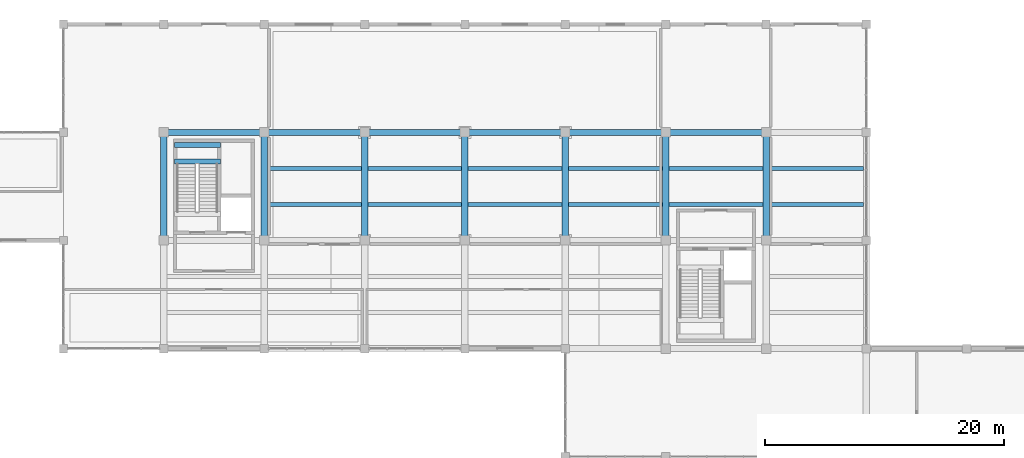
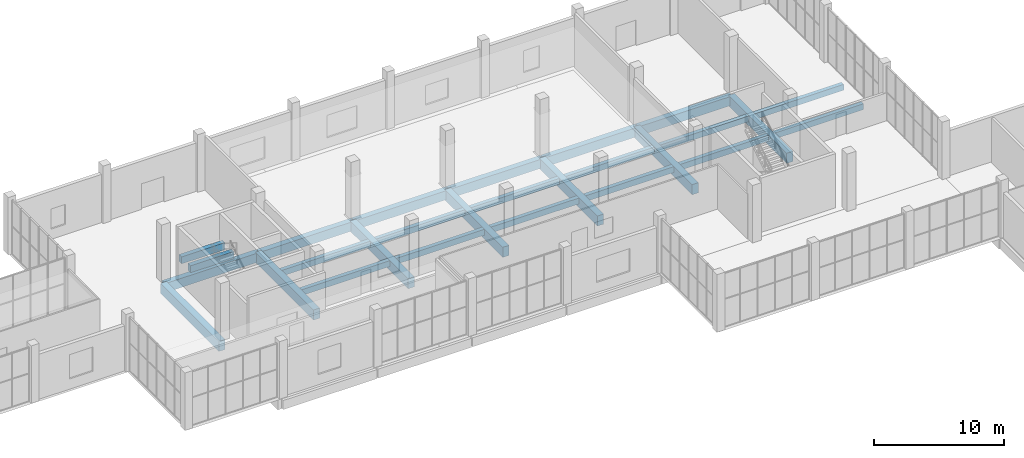
# One storey, part 58 of 91: 27 beams.
"""IFC4 building model written with IfcOpenShell, lengths in metres."""

from ifc_helpers import new_model, si_unit, direction, frame, origin, origin_2d, place, context, subcontext, project, spatial, rectangle, extrude, material, material_profile, profile_set, type_object, element, save


model = new_model("IFC4")

# Units and contexts
model_context = context("Model", 3, precision=1e-05, world=origin(), true_north=direction((0.0, 1.0)))
body_context = subcontext(model_context, "Body", "Model", "MODEL_VIEW")
ifc_project = project(units=[si_unit("LENGTHUNIT", "METRE"), si_unit("AREAUNIT", "SQUARE_METRE"), si_unit("VOLUMEUNIT", "CUBIC_METRE"), si_unit("PLANEANGLEUNIT", "RADIAN"), si_unit("MASSUNIT", "GRAM", prefix="KILO")], contexts=[model_context])

# Site, building, storey
site_placement = place(None, origin())
site = spatial("IfcSite", under=ifc_project, at=site_placement, CompositionType="ELEMENT")
building_placement = place(site_placement, origin())
building = spatial("IfcBuilding", under=site, at=building_placement, Name="Khurvash Pelagic Aquarium", CompositionType="ELEMENT")
storey_placement = place(building_placement, origin())
storey = spatial("IfcBuildingStorey", under=building, at=storey_placement, Name="L00", CompositionType="ELEMENT", Elevation=0.0)

# Beams
ifc_material_1 = material(Name="Concrete C40/50", Category="concrete")
ifc_material_profile_1 = material_profile(ifc_material_1, rectangle(XDim=0.550048828125, YDim=0.949951171875, at=origin_2d()), Name="RC550X950")
ifc_profile_set_1 = profile_set([ifc_material_profile_1], Name="Concrete C40/50")
beam_type_1 = type_object("IfcBeamType", Name="BM-02", PredefinedType="BEAM", material=ifc_profile_set_1)
for number, where, z_axis, x_axis, name in (
    (1, (67.199951171875, 93.139892578125, -0.794921875), (0.0, 1.0, 0.0), (-1.0, 0.0, 0.0), "L00 Primary Girder BM-02 00110"),
    (2, (75.60009765625, 93.139892578125, -0.794921875), (0.0, 1.0, 0.0), (-1.0, 0.0, 0.0), "L00 Primary Girder BM-02 00115"),
    (3, (84.0, 93.139892578125, -0.794921875), (0.0, 1.0, 0.0), (-1.0, 0.0, 0.0), "L00 Primary Girder BM-02 00120"),
    (4, (92.39990234375, 93.139892578125, -0.794921875), (0.0, 1.0, 0.0), (-1.0, 0.0, 0.0), "L00 Primary Girder BM-02 00125"),
    (5, (100.800048828125, 93.139892578125, -0.794921875), (0.0, 1.0, 0.0), (-1.0, 0.0, 0.0), "L00 Primary Girder BM-02 00130"),
    (6, (109.199951171875, 93.139892578125, -0.794921875), (0.0, 1.0, 0.0), (-1.0, 0.0, 0.0), "L00 Primary Girder BM-02 00134"),
    (7, (117.60009765625, 93.139892578125, -0.794921875), (0.0, 1.0, 0.0), (-1.0, 0.0, 0.0), "L00 Primary Girder BM-02 00136"),
):
    element("IfcBeam", number, at=place(storey_placement, frame(where, z_axis=z_axis, x_axis=x_axis)), inside=storey, type_object=beam_type_1, Name=name, PredefinedType="BEAM", context=body_context, shape_type="SweptSolid", body=[
        extrude(rectangle(XDim=0.550048828125, YDim=0.949951171875, at=origin_2d()), origin(), (0.0, 0.0, 1.0), 8.97021484375),
    ])
ifc_material_profile_2 = material_profile(ifc_material_1, rectangle(XDim=0.5, YDim=0.85009765625, at=origin_2d()), Name="RC500X850")
ifc_profile_set_2 = profile_set([ifc_material_profile_2], Name="Concrete C40/50")
beam_type_2 = type_object("IfcBeamType", Name="BM-03", PredefinedType="BEAM", material=ifc_profile_set_2)
for number, where, z_axis, x_axis, name in (
    (8, (67.239990234375, 102.14990234375, -0.7451171875), (1.0, 0.0, 0.0), (0.0, 1.0, 0.0), "L00 Primary Girder BM-03 00070"),
    (9, (75.639892578125, 102.14990234375, -0.7451171875), (1.0, 0.0, 0.0), (0.0, 1.0, 0.0), "L00 Primary Girder BM-03 00071"),
    (10, (84.0400390625, 102.14990234375, -0.7451171875), (1.0, 0.0, 0.0), (0.0, 1.0, 0.0), "L00 Primary Girder BM-03 00072"),
    (11, (92.43994140625, 102.14990234375, -0.7451171875), (1.0, 0.0, 0.0), (0.0, 1.0, 0.0), "L00 Primary Girder BM-03 00073"),
):
    element("IfcBeam", number, at=place(storey_placement, frame(where, z_axis=z_axis, x_axis=x_axis)), inside=storey, type_object=beam_type_2, Name=name, PredefinedType="BEAM", context=body_context, shape_type="SweptSolid", body=[
        extrude(rectangle(XDim=0.5, YDim=0.85009765625, at=origin_2d()), origin(), (0.0, 0.0, 1.0), 8.320068359375),
    ])
beam_1_placement = place(storey_placement, frame((100.840087890625, 102.14990234375, -0.7451171875), z_axis=(1.0, 0.0, 0.0), x_axis=(0.0, 1.0, 0.0)))
element("IfcBeam", 12, at=beam_1_placement, inside=storey, type_object=beam_type_2, Name="L00 Primary Girder BM-03 00074", PredefinedType="BEAM", context=body_context, shape_type="SweptSolid", body=[
    extrude(rectangle(XDim=0.5, YDim=0.85009765625, at=origin_2d()), origin(), (0.0, 0.0, 1.0), 8.31982421875),
])
beam_2_placement = place(storey_placement, frame((109.239990234375, 102.14990234375, -0.7451171875), z_axis=(1.0, 0.0, 0.0), x_axis=(0.0, 1.0, 0.0)))
element("IfcBeam", 13, at=beam_2_placement, inside=storey, type_object=beam_type_2, Name="L00 Primary Girder BM-03 00075", PredefinedType="BEAM", context=body_context, shape_type="SweptSolid", body=[
    extrude(rectangle(XDim=0.5, YDim=0.85009765625, at=origin_2d()), origin(), (0.0, 0.0, 1.0), 8.320068359375),
])
ifc_material_2 = material(Name="Concrete C35/45", Category="concrete")
ifc_material_profile_3 = material_profile(ifc_material_2, rectangle(XDim=0.39990234375, YDim=0.64990234375, at=origin_2d()), Name="RC400X650")
ifc_profile_set_3 = profile_set([ifc_material_profile_3], Name="Concrete C35/45")
beam_type_3 = type_object("IfcBeamType", Name="BM-05", PredefinedType="BEAM", material=ifc_profile_set_3)
for number, where, z_axis, x_axis, name in (
    (14, (68.080078125, 99.7099609375, 2.175048828125), (1.0, 0.0, 0.0), (0.0, 1.0, 0.0), "L00 Stair ST-04 Mid-Landing Trimmer Beam BM-05"),
    (15, (68.080078125, 101.080078125, 2.175048828125), (1.0, 0.0, 0.0), (0.0, 1.0, 0.0), "L00 Stair ST-04 Mid-Landing Trimmer Beam BM-05"),
):
    element("IfcBeam", number, at=place(storey_placement, frame(where, z_axis=z_axis, x_axis=x_axis)), inside=storey, type_object=beam_type_3, Name=name, PredefinedType="BEAM", context=body_context, shape_type="SweptSolid", body=[
        extrude(rectangle(XDim=0.39990234375, YDim=0.64990234375, at=origin_2d()), origin(), (0.0, 0.0, 1.0), 3.83984375),
    ])
ifc_material_profile_4 = material_profile(ifc_material_2, rectangle(XDim=0.35009765625, YDim=0.550048828125, at=origin_2d()), Name="RC350X550")
ifc_profile_set_4 = profile_set([ifc_material_profile_4], Name="Concrete C35/45")
beam_type_4 = type_object("IfcBeamType", Name="JS-01", PredefinedType="JOIST", material=ifc_profile_set_4)
for number, where, z_axis, x_axis, name in (
    (16, (75.875, 96.116943359375, -0.594970703125), (1.0, 0.0, 0.0), (0.0, 1.0, 0.0), "L00 Floor Joist JS-01 00207"),
    (17, (75.875, 99.133056640625, -0.594970703125), (1.0, 0.0, 0.0), (0.0, 1.0, 0.0), "L00 Floor Joist JS-01 00208"),
    (18, (84.27490234375, 96.116943359375, -0.594970703125), (1.0, 0.0, 0.0), (0.0, 1.0, 0.0), "L00 Floor Joist JS-01 00217"),
    (19, (84.27490234375, 99.133056640625, -0.594970703125), (1.0, 0.0, 0.0), (0.0, 1.0, 0.0), "L00 Floor Joist JS-01 00218"),
):
    element("IfcBeam", number, at=place(storey_placement, frame(where, z_axis=z_axis, x_axis=x_axis)), inside=storey, type_object=beam_type_4, Name=name, PredefinedType="JOIST", context=body_context, shape_type="SweptSolid", body=[
        extrude(rectangle(XDim=0.35009765625, YDim=0.550048828125, at=origin_2d()), origin(), (0.0, 0.0, 1.0), 7.85009765625),
    ])
for number, where, z_axis, x_axis, name in (
    (20, (92.675048828125, 96.116943359375, -0.594970703125), (1.0, 0.0, 0.0), (0.0, 1.0, 0.0), "L00 Floor Joist JS-01 00225"),
    (21, (92.675048828125, 99.133056640625, -0.594970703125), (1.0, 0.0, 0.0), (0.0, 1.0, 0.0), "L00 Floor Joist JS-01 00226"),
):
    element("IfcBeam", number, at=place(storey_placement, frame(where, z_axis=z_axis, x_axis=x_axis)), inside=storey, type_object=beam_type_4, Name=name, PredefinedType="JOIST", context=body_context, shape_type="SweptSolid", body=[
        extrude(rectangle(XDim=0.35009765625, YDim=0.550048828125, at=origin_2d()), origin(), (0.0, 0.0, 1.0), 7.849853515625),
    ])
for number, where, z_axis, x_axis, name in (
    (22, (101.074951171875, 96.116943359375, -0.594970703125), (1.0, 0.0, 0.0), (0.0, 1.0, 0.0), "L00 Floor Joist JS-01 00233"),
    (23, (101.074951171875, 99.133056640625, -0.594970703125), (1.0, 0.0, 0.0), (0.0, 1.0, 0.0), "L00 Floor Joist JS-01 00234"),
):
    element("IfcBeam", number, at=place(storey_placement, frame(where, z_axis=z_axis, x_axis=x_axis)), inside=storey, type_object=beam_type_4, Name=name, PredefinedType="JOIST", context=body_context, shape_type="SweptSolid", body=[
        extrude(rectangle(XDim=0.35009765625, YDim=0.550048828125, at=origin_2d()), origin(), (0.0, 0.0, 1.0), 7.85009765625),
    ])
for number, where, z_axis, x_axis, name in (
    (24, (109.47509765625, 96.116943359375, -0.594970703125), (1.0, 0.0, 0.0), (0.0, 1.0, 0.0), "L00 Floor Joist JS-01 00235"),
    (25, (109.47509765625, 99.133056640625, -0.594970703125), (1.0, 0.0, 0.0), (0.0, 1.0, 0.0), "L00 Floor Joist JS-01 00236"),
):
    element("IfcBeam", number, at=place(storey_placement, frame(where, z_axis=z_axis, x_axis=x_axis)), inside=storey, type_object=beam_type_4, Name=name, PredefinedType="JOIST", context=body_context, shape_type="SweptSolid", body=[
        extrude(rectangle(XDim=0.35009765625, YDim=0.550048828125, at=origin_2d()), origin(), (0.0, 0.0, 1.0), 7.849853515625),
    ])
for number, where, z_axis, x_axis, name in (
    (26, (117.875, 96.116943359375, -0.594970703125), (1.0, 0.0, 0.0), (0.0, 1.0, 0.0), "L00 Floor Joist JS-01 00239"),
    (27, (117.875, 99.133056640625, -0.594970703125), (1.0, 0.0, 0.0), (0.0, 1.0, 0.0), "L00 Floor Joist JS-01 00240"),
):
    element("IfcBeam", number, at=place(storey_placement, frame(where, z_axis=z_axis, x_axis=x_axis)), inside=storey, type_object=beam_type_4, Name=name, PredefinedType="JOIST", context=body_context, shape_type="SweptSolid", body=[
        extrude(rectangle(XDim=0.35009765625, YDim=0.550048828125, at=origin_2d()), origin(), (0.0, 0.0, 1.0), 7.875),
    ])

save(model, "model.ifc")
